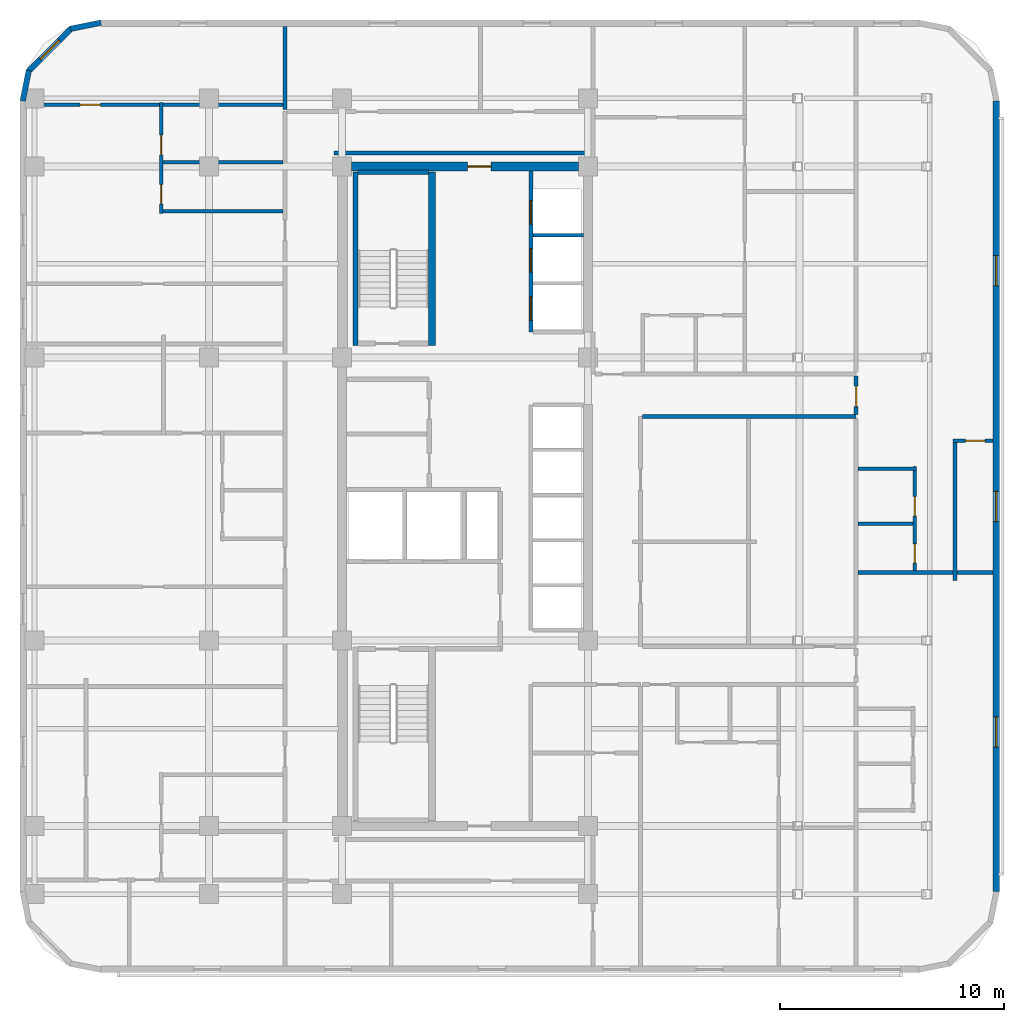
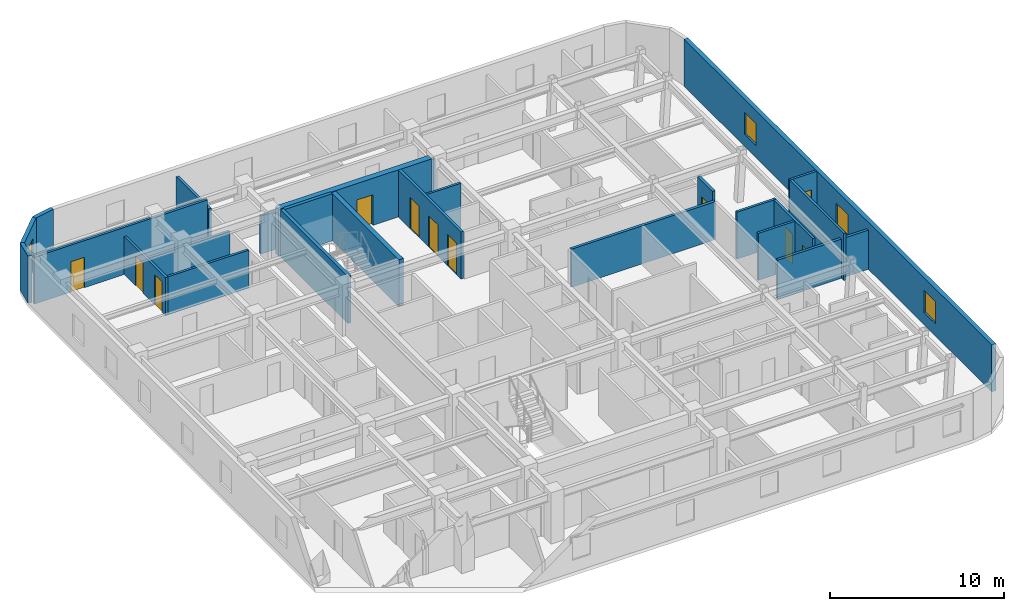
# One storey, part 6 of 11: 24 walls, 11 doors, 4 windows, 15 openings.
"""IFC4 building model written with IfcOpenShell, lengths in metres."""

from ifc_helpers import new_model, si_unit, direction, frame, frame_2d, origin, place, context, subcontext, project, spatial, rectangle, extrude, material, layer, layer_set, type_object, element, fill, save


model = new_model("IFC4")

# Units and contexts
model_context = context("Model", 3, precision=1e-05, world=origin(), true_north=direction((0.0, 1.0)))
body_context = subcontext(model_context, "Body", "Model", "MODEL_VIEW")
ifc_project = project(units=[si_unit("LENGTHUNIT", "METRE"), si_unit("AREAUNIT", "SQUARE_METRE"), si_unit("VOLUMEUNIT", "CUBIC_METRE"), si_unit("PLANEANGLEUNIT", "RADIAN"), si_unit("MASSUNIT", "GRAM", prefix="KILO")], contexts=[model_context])

# Site, building, storey
site_placement = place(None, origin())
site = spatial("IfcSite", under=ifc_project, at=site_placement, CompositionType="ELEMENT")
building_placement = place(site_placement, origin())
building = spatial("IfcBuilding", under=site, at=building_placement, Name="Ochreholt Gables", CompositionType="ELEMENT")
storey_placement = place(building_placement, frame((0.0, 0.0, 132.0)))
storey = spatial("IfcBuildingStorey", under=building, at=storey_placement, Name="L34", CompositionType="ELEMENT", Elevation=132.0)

# Wall, opening, door
ifc_material_1 = material(Name="Concrete 60 MPa", Category="concrete")
ifc_layer_1 = layer(ifc_material_1, 0.39990234375, Name="Concrete 60 MPa")
ifc_layer_set_1 = layer_set([ifc_layer_1], Name="Concrete 60 MPa")
wall_type_1 = type_object("IfcWallType", Name="WALL-CSW-400", PredefinedType="SHEAR", material=ifc_layer_set_1)
wall_1_placement = place(storey_placement, frame((24.625, 38.75, 0.0), z_axis=(0.0, 0.0, 1.0), x_axis=(1.0, 0.0, 0.0)))
wall_1 = element("IfcWall", 1, at=wall_1_placement, inside=storey, type_object=wall_type_1, Name="L34 Core North Shear Wall", PredefinedType="SHEAR", context=body_context, shape_type="SweptSolid", body=[
    extrude(rectangle(XDim=10.14990234375, YDim=0.39990234375, at=frame_2d((5.074951171875, 0.0))), origin(), (0.0, 0.0, 1.0), 3.300048828125),
])
opening_1_placement = place(wall_1_placement, frame((5.199951171875, 0.0, 0.0)))
opening_1 = element("IfcOpeningElement", 2, at=opening_1_placement, cuts=wall_1, Name="Opening D-FLB", PredefinedType="OPENING", context=body_context, shape_type="SweptSolid", body=[
    extrude(rectangle(XDim=1.050048828125, YDim=2.14990234375, at=frame_2d((0.52490234375, 1.074951171875))), frame((0.0, 0.2099609375, 0.0), z_axis=(0.0, -1.0, 0.0), x_axis=(1.0, 0.0, 0.0)), (0.0, 0.0, 1.0), 0.419921875),
])
ifc_material_2 = material(Name="Hollow Metal Steel", Category="steel")
door_type_1 = type_object("IfcDoorType", Name="DR-INT-FLB1050", OperationType="NOTDEFINED", PredefinedType="DOOR", material=ifc_material_2)
door_1_placement = place(opening_1_placement, frame((1.050048828125, 0.0, 0.0), z_axis=(0.0, 0.0, 1.0), x_axis=(-1.0, 0.0, 0.0)))
door_1 = element("IfcDoor", 3, at=door_1_placement, inside=storey, type_object=door_type_1, Name="L34 Door D-C2CRN-L34", OperationType="SINGLE_SWING_RIGHT", OverallHeight=2.14990234375, OverallWidth=1.050048828125, PredefinedType="DOOR", context=body_context, shape_type="SweptSolid", body=[
    extrude(rectangle(XDim=1.050048828125, YDim=2.14990234375, at=frame_2d((0.52490234375, 1.074951171875))), frame((0.0, 0.02490234375, 0.0), z_axis=(0.0, -1.0, 0.0), x_axis=(1.0, 0.0, 0.0)), (0.0, 0.0, 1.0), 0.050048828125),
])
fill(opening_1, door_1)

# Wall, openings, windows
ifc_material_3 = material(Name="Precast concrete 40 MPa", Category="concrete")
ifc_layer_2 = layer(ifc_material_3, 0.280029296875, Name="Precast concrete 40 MPa")
ifc_layer_set_2 = layer_set([ifc_layer_2], Name="Precast concrete 40 MPa")
wall_type_2 = type_object("IfcWallType", Name="WALL-EXT-280", PredefinedType="SOLIDWALL", material=ifc_layer_set_2)
wall_2_placement = place(storey_placement, frame((53.4599609375, 6.320068359375, 0.0), z_axis=(0.0, 0.0, 1.0), x_axis=(0.0, 1.0, 0.0)))
wall_2 = element("IfcWall", 4, at=wall_2_placement, inside=storey, type_object=wall_type_2, Name="L34 East Exterior Wall", PredefinedType="SOLIDWALL", context=body_context, shape_type="SweptSolid", body=[
    extrude(rectangle(XDim=35.35986328125, YDim=0.280029296875, at=frame_2d((17.679931640625, 0.0))), origin(), (0.0, 0.0, 1.0), 3.300048828125),
])
opening_2_placement = place(wall_2_placement, frame((6.4609375, 0.0, 0.85009765625)))
opening_2 = element("IfcOpeningElement", 5, at=opening_2_placement, cuts=wall_2, Name="Opening WN-8", PredefinedType="OPENING", context=body_context, shape_type="SweptSolid", body=[
    extrude(rectangle(XDim=1.35009765625, YDim=1.550048828125, at=frame_2d((0.675048828125, 0.77490234375))), frame((0.0, 0.14990234375, 0.0), z_axis=(0.0, -1.0, 0.0), x_axis=(1.0, 0.0, 0.0)), (0.0, 0.0, 1.0), 0.300048828125),
])
opening_3_placement = place(wall_2_placement, frame((16.5419921875, 0.0, 0.85009765625)))
opening_3 = element("IfcOpeningElement", 6, at=opening_3_placement, cuts=wall_2, Name="Opening WN-8", PredefinedType="OPENING", context=body_context, shape_type="SweptSolid", body=[
    extrude(rectangle(XDim=1.35009765625, YDim=1.550048828125, at=frame_2d((0.675048828125, 0.77490234375))), frame((0.0, 0.14990234375, 0.0), z_axis=(0.0, -1.0, 0.0), x_axis=(1.0, 0.0, 0.0)), (0.0, 0.0, 1.0), 0.300048828125),
])
opening_4_placement = place(wall_2_placement, frame((27.0859375, 0.0, 0.85009765625)))
opening_4 = element("IfcOpeningElement", 7, at=opening_4_placement, cuts=wall_2, Name="Opening WN-8", PredefinedType="OPENING", context=body_context, shape_type="SweptSolid", body=[
    extrude(rectangle(XDim=1.35009765625, YDim=1.550048828125, at=frame_2d((0.675048828125, 0.77490234375))), frame((0.0, 0.14990234375, 0.0), z_axis=(0.0, -1.0, 0.0), x_axis=(1.0, 0.0, 0.0)), (0.0, 0.0, 1.0), 0.300048828125),
])
ifc_material_4 = material(Name="Triple-Glazed Thermally Broken Aluminium Window", Category="aluminium")
window_type_1 = type_object("IfcWindowType", Name="WIN-RES-1350", PartitioningType="SINGLE_PANEL", PredefinedType="WINDOW", material=ifc_material_4)
window_1_placement = place(opening_2_placement, origin())
window_1 = element("IfcWindow", 8, at=window_1_placement, inside=storey, type_object=window_type_1, Name="L34 Window W-EXT-E-L34-1", OverallHeight=1.550048828125, OverallWidth=1.35009765625, PartitioningType="SINGLE_PANEL", PredefinedType="WINDOW", context=body_context, shape_type="SweptSolid", body=[
    extrude(rectangle(XDim=1.35009765625, YDim=1.550048828125, at=frame_2d((0.675048828125, 0.77490234375))), frame((0.0, 0.030029296875, 0.0), z_axis=(0.0, -1.0, 0.0), x_axis=(1.0, 0.0, 0.0)), (0.0, 0.0, 1.0), 0.06005859375),
])
fill(opening_2, window_1)
window_2_placement = place(opening_3_placement, origin())
window_2 = element("IfcWindow", 9, at=window_2_placement, inside=storey, type_object=window_type_1, Name="L34 Window W-EXT-E-L34-2", OverallHeight=1.550048828125, OverallWidth=1.35009765625, PartitioningType="SINGLE_PANEL", PredefinedType="WINDOW", context=body_context, shape_type="SweptSolid", body=[
    extrude(rectangle(XDim=1.35009765625, YDim=1.550048828125, at=frame_2d((0.675048828125, 0.77490234375))), frame((0.0, 0.030029296875, 0.0), z_axis=(0.0, -1.0, 0.0), x_axis=(1.0, 0.0, 0.0)), (0.0, 0.0, 1.0), 0.06005859375),
])
fill(opening_3, window_2)
window_3_placement = place(opening_4_placement, origin())
window_3 = element("IfcWindow", 10, at=window_3_placement, inside=storey, type_object=window_type_1, Name="L34 Window W-EXT-E-L34-3", OverallHeight=1.550048828125, OverallWidth=1.35009765625, PartitioningType="SINGLE_PANEL", PredefinedType="WINDOW", context=body_context, shape_type="SweptSolid", body=[
    extrude(rectangle(XDim=1.35009765625, YDim=1.550048828125, at=frame_2d((0.675048828125, 0.77490234375))), frame((0.0, 0.030029296875, 0.0), z_axis=(0.0, -1.0, 0.0), x_axis=(1.0, 0.0, 0.0)), (0.0, 0.0, 1.0), 0.06005859375),
])
fill(opening_4, window_3)

# Wall
ifc_layer_3 = layer(ifc_material_3, 0.25, Name="Precast concrete 40 MPa")
ifc_layer_set_3 = layer_set([ifc_layer_3], Name="Precast concrete 40 MPa")
wall_type_3 = type_object("IfcWallType", Name="WALL-EXT-CNR", PredefinedType="SOLIDWALL", material=ifc_layer_set_3)
wall_3_placement = place(storey_placement, frame((13.41650390625, 45.17578125, 0.0), z_axis=(0.0, 0.0, 1.0), x_axis=(-0.980809899341, -0.19496651342, 0.0)))
element("IfcWall", 11, at=wall_3_placement, inside=storey, type_object=wall_type_3, Name="L34 Rounded Corner Wall NW-1", PredefinedType="SOLIDWALL", context=body_context, shape_type="SweptSolid", body=[
    extrude(rectangle(XDim=1.388671875, YDim=0.25, at=frame_2d((0.6943359375, 0.0))), origin(), (0.0, 0.0, 1.0), 3.300048828125),
])

# Wall, opening, window
wall_4_placement = place(storey_placement, frame((12.10498046875, 44.931884765625, 0.0), z_axis=(0.0, 0.0, 1.0), x_axis=(-0.707151344399, -0.707062215165, 0.0)))
wall_4 = element("IfcWall", 12, at=wall_4_placement, inside=storey, type_object=wall_type_3, Name="L34 Rounded Corner Wall NW-2", PredefinedType="SOLIDWALL", context=body_context, shape_type="SweptSolid", body=[
    extrude(rectangle(XDim=2.7392578125, YDim=0.25, at=frame_2d((1.36962890625, 0.0))), origin(), (0.0, 0.0, 1.0), 3.300048828125),
])
opening_5_placement = place(wall_4_placement, frame((0.769775390625, 0.0, 0.85009765625)))
opening_5 = element("IfcOpeningElement", 13, at=opening_5_placement, cuts=wall_4, Name="Opening WN-3", PredefinedType="OPENING", context=body_context, shape_type="SweptSolid", body=[
    extrude(rectangle(XDim=1.199951171875, YDim=1.5, at=frame_2d((0.60009765625, 0.75))), frame((0.0, 0.135009765625, 0.0), z_axis=(0.0, -1.0, 0.0), x_axis=(1.0, 0.0, 0.0)), (0.0, 0.0, 1.0), 0.27001953125),
])
window_type_2 = type_object("IfcWindowType", Name="WIN-RES-1200", PartitioningType="SINGLE_PANEL", PredefinedType="WINDOW", material=ifc_material_4)
window_4_placement = place(opening_5_placement, origin())
window_4 = element("IfcWindow", 14, at=window_4_placement, inside=storey, type_object=window_type_2, Name="L34 Corner Bedroom Window NW", OverallHeight=1.5, OverallWidth=1.199951171875, PartitioningType="SINGLE_PANEL", PredefinedType="WINDOW", context=body_context, shape_type="SweptSolid", body=[
    extrude(rectangle(XDim=1.199951171875, YDim=1.5, at=frame_2d((0.60009765625, 0.75))), frame((0.0, 0.030029296875, 0.0), z_axis=(0.0, -1.0, 0.0), x_axis=(1.0, 0.0, 0.0)), (0.0, 0.0, 1.0), 0.06005859375),
])
fill(opening_5, window_4)

# Walls
wall_5_placement = place(storey_placement, frame((10.195068359375, 43.04541015625, 0.0), z_axis=(0.0, 0.0, 1.0), x_axis=(-0.195000137217, -0.980803214965, 0.0)))
element("IfcWall", 15, at=wall_5_placement, inside=storey, type_object=wall_type_3, Name="L34 Rounded Corner Wall NW-3", PredefinedType="SOLIDWALL", context=body_context, shape_type="SweptSolid", body=[
    extrude(rectangle(XDim=1.388427734375, YDim=0.25, at=frame_2d((0.6943359375, 0.0))), origin(), (0.0, 0.0, 1.0), 3.300048828125),
])
ifc_material_5 = material(Name="Fire-Rated Gypsum Acoustic Partition", Category="gypsum")
ifc_layer_4 = layer(ifc_material_5, 0.179931640625, Name="Fire-Rated Gypsum Acoustic Partition")
ifc_layer_set_4 = layer_set([ifc_layer_4], Name="Fire-Rated Gypsum Acoustic Partition")
wall_type_4 = type_object("IfcWallType", Name="WALL-INT-CR180", PredefinedType="STANDARD", material=ifc_layer_set_4)
wall_6_placement = place(storey_placement, frame((37.639892578125, 27.56005859375, 0.0), z_axis=(0.0, 0.0, 1.0), x_axis=(1.0, 0.0, 0.0)))
element("IfcWall", 16, at=wall_6_placement, inside=storey, type_object=wall_type_4, Name="L34 Interior Wall WI-C2SN1-L34", PredefinedType="STANDARD", context=body_context, shape_type="SweptSolid", body=[
    extrude(rectangle(XDim=9.56005859375, YDim=0.179931640625, at=frame_2d((4.780029296875, 0.0))), origin(), (0.0, 0.0, 1.0), 2.6708984375),
])
wall_7_placement = place(storey_placement, frame((23.85009765625, 39.35009765625, 0.0), z_axis=(0.0, 0.0, 1.0), x_axis=(1.0, 0.0, 0.0)))
element("IfcWall", 17, at=wall_7_placement, inside=storey, type_object=wall_type_4, Name="L34 Interior Wall WI-C2WCN2-L34", PredefinedType="STANDARD", context=body_context, shape_type="SweptSolid", body=[
    extrude(rectangle(XDim=11.56982421875, YDim=0.179931640625, at=frame_2d((5.784912109375, 0.0))), origin(), (0.0, 0.0, 1.0), 2.6708984375),
])

# Wall, opening, door
wall_8_placement = place(storey_placement, frame((47.199951171875, 27.64990234375, 0.0), z_axis=(0.0, 0.0, 1.0), x_axis=(0.0, 1.0, 0.0)))
wall_8 = element("IfcWall", 18, at=wall_8_placement, inside=storey, type_object=wall_type_4, Name="L34 Interior Wall WI-C2SNE-L34", PredefinedType="STANDARD", context=body_context, shape_type="SweptSolid", body=[
    extrude(rectangle(XDim=1.72021484375, YDim=0.179931640625, at=frame_2d((0.860107421875, 0.0))), origin(), (0.0, 0.0, 1.0), 3.300048828125),
])
opening_6_placement = place(wall_8_placement, frame((0.360107421875, 0.0, 0.0)))
opening_6 = element("IfcOpeningElement", 19, at=opening_6_placement, cuts=wall_8, Name="Opening D-UN1", PredefinedType="OPENING", context=body_context, shape_type="SweptSolid", body=[
    extrude(rectangle(XDim=0.919921875, YDim=2.14990234375, at=frame_2d((0.4599609375, 1.074951171875))), frame((0.0, 0.099853515625, 0.0), z_axis=(0.0, -1.0, 0.0), x_axis=(1.0, 0.0, 0.0)), (0.0, 0.0, 1.0), 0.199951171875),
])
ifc_material_6 = material(Name="Engineered Oak Timber", Category="wood")
door_type_2 = type_object("IfcDoorType", Name="DR-INT-UNT920", OperationType="NOTDEFINED", PredefinedType="DOOR", material=ifc_material_6)
door_2_placement = place(opening_6_placement, origin())
door_2 = element("IfcDoor", 20, at=door_2_placement, inside=storey, type_object=door_type_2, Name="L34 Door D-U-L34FEN-ENT", OperationType="SINGLE_SWING_LEFT", OverallHeight=2.14990234375, OverallWidth=0.919921875, PredefinedType="DOOR", context=body_context, shape_type="SweptSolid", body=[
    extrude(rectangle(XDim=0.919921875, YDim=2.14990234375, at=frame_2d((0.4599609375, 1.074951171875))), frame((0.0, 0.02490234375, 0.0), z_axis=(0.0, -1.0, 0.0), x_axis=(1.0, 0.0, 0.0)), (0.0, 0.0, 1.0), 0.050048828125),
])
fill(opening_6, door_2)

# Walls
ifc_material_7 = material(Name="Double-Stud Acoustic Demising Wall", Category="gypsum")
ifc_layer_5 = layer(ifc_material_7, 0.179931640625, Name="Double-Stud Acoustic Demising Wall")
ifc_layer_set_5 = layer_set([ifc_layer_5], Name="Double-Stud Acoustic Demising Wall")
wall_type_5 = type_object("IfcWallType", Name="WALL-INT-DM180", PredefinedType="PARTITIONING", material=ifc_layer_set_5)
wall_9_placement = place(storey_placement, frame((21.64990234375, 41.2900390625, 0.0), z_axis=(0.0, 0.0, 1.0), x_axis=(0.0, 1.0, 0.0)))
element("IfcWall", 21, at=wall_9_placement, inside=storey, type_object=wall_type_5, Name="L34 Interior Wall WI-C2WWN-L34", PredefinedType="PARTITIONING", context=body_context, shape_type="SweptSolid", body=[
    extrude(rectangle(XDim=3.72998046875, YDim=0.179931640625, at=frame_2d((1.864990234375, 0.0))), origin(), (0.0, 0.0, 1.0), 2.7490234375),
])
wall_10_placement = place(storey_placement, frame((47.2900390625, 20.592041015625, 0.0), z_axis=(0.0, 0.0, 1.0), x_axis=(1.0, 0.0, 0.0)))
element("IfcWall", 22, at=wall_10_placement, inside=storey, type_object=wall_type_5, Name="L34 Interior Wall WI-C2FED-L34", PredefinedType="PARTITIONING", context=body_context, shape_type="SweptSolid", body=[
    extrude(rectangle(XDim=6.030029296875, YDim=0.179931640625, at=frame_2d((3.01513671875, 0.0))), origin(), (0.0, 0.0, 1.0), 2.7490234375),
])
ifc_material_8 = material(Name="Moisture-Resistant Plumbing Chase Wall", Category="gypsum")
ifc_layer_6 = layer(ifc_material_8, 0.159912109375, Name="Moisture-Resistant Plumbing Chase Wall")
ifc_layer_set_6 = layer_set([ifc_layer_6], Name="Moisture-Resistant Plumbing Chase Wall")
wall_type_6 = type_object("IfcWallType", Name="WALL-INT-PL160", PredefinedType="PLUMBINGWALL", material=ifc_layer_set_6)
wall_11_placement = place(storey_placement, frame((47.2900390625, 25.23193359375, 0.0), z_axis=(0.0, 0.0, 1.0), x_axis=(1.0, 0.0, 0.0)))
element("IfcWall", 23, at=wall_11_placement, inside=storey, type_object=wall_type_6, Name="L34 Interior Wall WU-L34FEN-WYN", PredefinedType="PLUMBINGWALL", context=body_context, shape_type="SweptSolid", body=[
    extrude(rectangle(XDim=2.60595703125, YDim=0.159912109375, at=frame_2d((1.302978515625, 0.0))), origin(), (0.0, 0.0, 1.0), 3.300048828125),
])

# Wall, openings, doors
wall_12_placement = place(storey_placement, frame((49.81591796875, 20.681884765625, 0.0), z_axis=(0.0, 0.0, 1.0), x_axis=(0.0, 1.0, 0.0)))
wall_12 = element("IfcWall", 24, at=wall_12_placement, inside=storey, type_object=wall_type_6, Name="L34 Interior Wall WU-L34FEN-WX", PredefinedType="PLUMBINGWALL", context=body_context, shape_type="SweptSolid", body=[
    extrude(rectangle(XDim=4.64013671875, YDim=0.159912109375, at=frame_2d((2.320068359375, 0.0))), origin(), (0.0, 0.0, 1.0), 3.300048828125),
])
opening_7_placement = place(wall_12_placement, frame((0.330078125, 0.0, 0.0)))
opening_7 = element("IfcOpeningElement", 25, at=opening_7_placement, cuts=wall_12, Name="Opening D-BT1", PredefinedType="OPENING", context=body_context, shape_type="SweptSolid", body=[
    extrude(rectangle(XDim=0.860107421875, YDim=2.1201171875, at=frame_2d((0.43017578125, 1.06005859375))), frame((0.0, 0.08984375, 0.0), z_axis=(0.0, -1.0, 0.0), x_axis=(1.0, 0.0, 0.0)), (0.0, 0.0, 1.0), 0.179931640625),
])
opening_8_placement = place(wall_12_placement, frame((2.423095703125, 0.0, 0.0)))
opening_8 = element("IfcOpeningElement", 26, at=opening_8_placement, cuts=wall_12, Name="Opening D-GN2", PredefinedType="OPENING", context=body_context, shape_type="SweptSolid", body=[
    extrude(rectangle(XDim=0.8798828125, YDim=2.1201171875, at=frame_2d((0.43994140625, 1.06005859375))), frame((0.0, 0.08984375, 0.0), z_axis=(0.0, -1.0, 0.0), x_axis=(1.0, 0.0, 0.0)), (0.0, 0.0, 1.0), 0.179931640625),
])
door_type_3 = type_object("IfcDoorType", Name="DR-INT-BTH860", OperationType="NOTDEFINED", PredefinedType="DOOR", material=ifc_material_6)
door_3_placement = place(opening_7_placement, origin())
door_3 = element("IfcDoor", 27, at=door_3_placement, inside=storey, type_object=door_type_3, Name="L34 Door D-U-L34FEN-BTH", OperationType="SINGLE_SWING_RIGHT", OverallHeight=2.1201171875, OverallWidth=0.860107421875, PredefinedType="DOOR", context=body_context, shape_type="SweptSolid", body=[
    extrude(rectangle(XDim=0.860107421875, YDim=2.1201171875, at=frame_2d((0.43017578125, 1.06005859375))), frame((0.0, 0.02490234375, 0.0), z_axis=(0.0, -1.0, 0.0), x_axis=(1.0, 0.0, 0.0)), (0.0, 0.0, 1.0), 0.050048828125),
])
fill(opening_7, door_3)
door_type_4 = type_object("IfcDoorType", Name="DR-INT-GEN880", OperationType="NOTDEFINED", PredefinedType="DOOR", material=ifc_material_6)
door_4_placement = place(opening_8_placement, origin())
door_4 = element("IfcDoor", 28, at=door_4_placement, inside=storey, type_object=door_type_4, Name="L34 Door D-U-L34FEN-KIT", OperationType="SINGLE_SWING_LEFT", OverallHeight=2.1201171875, OverallWidth=0.8798828125, PredefinedType="DOOR", context=body_context, shape_type="SweptSolid", body=[
    extrude(rectangle(XDim=0.8798828125, YDim=2.1201171875, at=frame_2d((0.43994140625, 1.06005859375))), frame((0.0, 0.02490234375, 0.0), z_axis=(0.0, -1.0, 0.0), x_axis=(1.0, 0.0, 0.0)), (0.0, 0.0, 1.0), 0.050048828125),
])
fill(opening_8, door_4)

# Walls
wall_13_placement = place(storey_placement, frame((47.2900390625, 22.77490234375, 0.0), z_axis=(0.0, 0.0, 1.0), x_axis=(1.0, 0.0, 0.0)))
element("IfcWall", 29, at=wall_13_placement, inside=storey, type_object=wall_type_6, Name="L34 Interior Wall WU-L34FEN-WM", PredefinedType="PLUMBINGWALL", context=body_context, shape_type="SweptSolid", body=[
    extrude(rectangle(XDim=2.446044921875, YDim=0.159912109375, at=frame_2d((1.22314453125, 0.0))), origin(), (0.0, 0.0, 1.0), 3.300048828125),
])
wall_14_placement = place(storey_placement, frame((16.030029296875, 36.74609375, 0.0), z_axis=(0.0, 0.0, 1.0), x_axis=(1.0, 0.0, 0.0)))
element("IfcWall", 30, at=wall_14_placement, inside=storey, type_object=wall_type_6, Name="L34 Interior Wall WU-L34W3-FYS", PredefinedType="PLUMBINGWALL", context=body_context, shape_type="SweptSolid", body=[
    extrude(rectangle(XDim=5.530029296875, YDim=0.159912109375, at=frame_2d((2.76513671875, 0.0))), origin(), (0.0, 0.0, 1.0), 2.6708984375),
])

# Wall, openings, doors
wall_15_placement = place(storey_placement, frame((16.110107421875, 36.656005859375, 0.0), z_axis=(0.0, 0.0, 1.0), x_axis=(0.0, 1.0, 0.0)))
wall_15 = element("IfcWall", 31, at=wall_15_placement, inside=storey, type_object=wall_type_6, Name="L34 Interior Wall WU-L34W3-WX", PredefinedType="PLUMBINGWALL", context=body_context, shape_type="SweptSolid", body=[
    extrude(rectangle(XDim=4.944091796875, YDim=0.159912109375, at=frame_2d((2.47216796875, 0.0))), origin(), (0.0, 0.0, 1.0), 2.6708984375),
])
opening_9_placement = place(wall_15_placement, frame((0.419921875, 0.0, 0.0)))
opening_9 = element("IfcOpeningElement", 32, at=opening_9_placement, cuts=wall_15, Name="Opening D-BT1", PredefinedType="OPENING", context=body_context, shape_type="SweptSolid", body=[
    extrude(rectangle(XDim=0.860107421875, YDim=2.1201171875, at=frame_2d((0.43017578125, 1.06005859375))), frame((0.0, 0.08984375, 0.0), z_axis=(0.0, -1.0, 0.0), x_axis=(1.0, 0.0, 0.0)), (0.0, 0.0, 1.0), 0.179931640625),
])
opening_10_placement = place(wall_15_placement, frame((2.611328125, 0.0, 0.0)))
opening_10 = element("IfcOpeningElement", 33, at=opening_10_placement, cuts=wall_15, Name="Opening D-GN2", PredefinedType="OPENING", context=body_context, shape_type="SweptSolid", body=[
    extrude(rectangle(XDim=0.8798828125, YDim=2.1201171875, at=frame_2d((0.43994140625, 1.06005859375))), frame((0.0, 0.08984375, 0.0), z_axis=(0.0, -1.0, 0.0), x_axis=(1.0, 0.0, 0.0)), (0.0, 0.0, 1.0), 0.179931640625),
])
door_5_placement = place(opening_9_placement, origin())
door_5 = element("IfcDoor", 34, at=door_5_placement, inside=storey, type_object=door_type_3, Name="L34 Door D-U-L34W3-BTH", OperationType="SINGLE_SWING_LEFT", OverallHeight=2.1201171875, OverallWidth=0.860107421875, PredefinedType="DOOR", context=body_context, shape_type="SweptSolid", body=[
    extrude(rectangle(XDim=0.860107421875, YDim=2.1201171875, at=frame_2d((0.43017578125, 1.06005859375))), frame((0.0, 0.02490234375, 0.0), z_axis=(0.0, -1.0, 0.0), x_axis=(1.0, 0.0, 0.0)), (0.0, 0.0, 1.0), 0.050048828125),
])
fill(opening_9, door_5)
door_6_placement = place(opening_10_placement, origin())
door_6 = element("IfcDoor", 35, at=door_6_placement, inside=storey, type_object=door_type_4, Name="L34 Door D-U-L34W3-KIT", OperationType="SINGLE_SWING_RIGHT", OverallHeight=2.1201171875, OverallWidth=0.8798828125, PredefinedType="DOOR", context=body_context, shape_type="SweptSolid", body=[
    extrude(rectangle(XDim=0.8798828125, YDim=2.1201171875, at=frame_2d((0.43994140625, 1.06005859375))), frame((0.0, 0.02490234375, 0.0), z_axis=(0.0, -1.0, 0.0), x_axis=(1.0, 0.0, 0.0)), (0.0, 0.0, 1.0), 0.050048828125),
])
fill(opening_10, door_6)

# Walls
wall_16_placement = place(storey_placement, frame((16.18994140625, 38.9375, 0.0), z_axis=(0.0, 0.0, 1.0), x_axis=(1.0, 0.0, 0.0)))
element("IfcWall", 36, at=wall_16_placement, inside=storey, type_object=wall_type_6, Name="L34 Interior Wall WU-L34W3-WK", PredefinedType="PLUMBINGWALL", context=body_context, shape_type="SweptSolid", body=[
    extrude(rectangle(XDim=5.3701171875, YDim=0.159912109375, at=frame_2d((2.68505859375, 0.0))), origin(), (0.0, 0.0, 1.0), 2.6708984375),
])
ifc_material_9 = material(Name="Gypsum Acoustic Stud Partition", Category="gypsum")
ifc_layer_7 = layer(ifc_material_9, 0.1650390625, Name="Gypsum Acoustic Stud Partition")
ifc_layer_set_7 = layer_set([ifc_layer_7], Name="Gypsum Acoustic Stud Partition")
wall_type_7 = type_object("IfcWallType", Name="WALL-INT-PT165", PredefinedType="PARTITIONING", material=ifc_layer_set_7)
wall_17_placement = place(storey_placement, frame((51.615966796875, 20.23193359375, 0.0), z_axis=(0.0, 0.0, 1.0), x_axis=(0.0, 1.0, 0.0)))
element("IfcWall", 37, at=wall_17_placement, inside=storey, type_object=wall_type_7, Name="L34 Interior Wall WU-L34FEN-STW", PredefinedType="PARTITIONING", context=body_context, shape_type="SweptSolid", body=[
    extrude(rectangle(XDim=6.25, YDim=0.1650390625, at=frame_2d((3.125, 0.0))), origin(), (0.0, 0.0, 1.0), 3.300048828125),
])

# Wall, opening, door
wall_18_placement = place(storey_placement, frame((51.535888671875, 26.48193359375, 0.0), z_axis=(0.0, 0.0, 1.0), x_axis=(1.0, 0.0, 0.0)))
wall_18 = element("IfcWall", 38, at=wall_18_placement, inside=storey, type_object=wall_type_7, Name="L34 Interior Wall WU-L34FEN-STN", PredefinedType="PARTITIONING", context=body_context, shape_type="SweptSolid", body=[
    extrude(rectangle(XDim=1.7841796875, YDim=0.1650390625, at=frame_2d((0.89208984375, 0.0))), origin(), (0.0, 0.0, 1.0), 3.300048828125),
])
opening_11_placement = place(wall_18_placement, frame((0.550048828125, 0.0, 0.0)))
opening_11 = element("IfcOpeningElement", 39, at=opening_11_placement, cuts=wall_18, Name="Opening D-GN2", PredefinedType="OPENING", context=body_context, shape_type="SweptSolid", body=[
    extrude(rectangle(XDim=0.8798828125, YDim=2.1201171875, at=frame_2d((0.43994140625, 1.06005859375))), frame((0.0, 0.092529296875, 0.0), z_axis=(0.0, -1.0, 0.0), x_axis=(1.0, 0.0, 0.0)), (0.0, 0.0, 1.0), 0.18505859375),
])
door_7_placement = place(opening_11_placement, origin())
door_7 = element("IfcDoor", 40, at=door_7_placement, inside=storey, type_object=door_type_4, Name="L34 Door D-U-L34FEN-STD", OperationType="SINGLE_SWING_RIGHT", OverallHeight=2.1201171875, OverallWidth=0.8798828125, PredefinedType="DOOR", context=body_context, shape_type="SweptSolid", body=[
    extrude(rectangle(XDim=0.8798828125, YDim=2.1201171875, at=frame_2d((0.43994140625, 1.06005859375))), frame((0.0, 0.02490234375, 0.0), z_axis=(0.0, -1.0, 0.0), x_axis=(1.0, 0.0, 0.0)), (0.0, 0.0, 1.0), 0.050048828125),
])
fill(opening_11, door_7)

wall_19_placement = place(storey_placement, frame((10.080078125, 41.510009765625, 0.0), z_axis=(0.0, 0.0, 1.0), x_axis=(1.0, 0.0, 0.0)))
wall_19 = element("IfcWall", 41, at=wall_19_placement, inside=storey, type_object=wall_type_7, Name="L34 Interior Wall WU-L34W3-MN", PredefinedType="PARTITIONING", context=body_context, shape_type="SweptSolid", body=[
    extrude(rectangle(XDim=11.47998046875, YDim=0.1650390625, at=frame_2d((5.739990234375, 0.0))), origin(), (0.0, 0.0, 1.0), 3.300048828125),
])
opening_12_placement = place(wall_19_placement, frame((2.409912109375, 0.0, 0.0)))
opening_12 = element("IfcOpeningElement", 42, at=opening_12_placement, cuts=wall_19, Name="Opening D-BD1", PredefinedType="OPENING", context=body_context, shape_type="SweptSolid", body=[
    extrude(rectangle(XDim=0.89990234375, YDim=2.139892578125, at=frame_2d((0.449951171875, 1.06982421875))), frame((0.0, 0.092529296875, 0.0), z_axis=(0.0, -1.0, 0.0), x_axis=(1.0, 0.0, 0.0)), (0.0, 0.0, 1.0), 0.18505859375),
])
door_type_5 = type_object("IfcDoorType", Name="DR-INT-BED900", OperationType="NOTDEFINED", PredefinedType="DOOR", material=ifc_material_6)
door_8_placement = place(opening_12_placement, origin())
door_8 = element("IfcDoor", 43, at=door_8_placement, inside=storey, type_object=door_type_5, Name="L34 Door D-U-L34W3-BD1", OperationType="SINGLE_SWING_LEFT", OverallHeight=2.139892578125, OverallWidth=0.89990234375, PredefinedType="DOOR", context=body_context, shape_type="SweptSolid", body=[
    extrude(rectangle(XDim=0.89990234375, YDim=2.139892578125, at=frame_2d((0.449951171875, 1.06982421875))), frame((0.0, 0.02490234375, 0.0), z_axis=(0.0, -1.0, 0.0), x_axis=(1.0, 0.0, 0.0)), (0.0, 0.0, 1.0), 0.050048828125),
])
fill(opening_12, door_8)

# Wall
ifc_material_10 = material(Name="Gypsum Shaftliner and Steel Stud", Category="steel")
ifc_layer_8 = layer(ifc_material_10, 0.14990234375, Name="Gypsum Shaftliner and Steel Stud")
ifc_layer_set_8 = layer_set([ifc_layer_8], Name="Gypsum Shaftliner and Steel Stud")
wall_type_8 = type_object("IfcWallType", Name="WALL-INT-SH150", PredefinedType="STANDARD", material=ifc_layer_set_8)
wall_20_placement = place(storey_placement, frame((32.739990234375, 35.669921875, 0.0), z_axis=(0.0, 0.0, 1.0), x_axis=(1.0, 0.0, 0.0)))
element("IfcWall", 44, at=wall_20_placement, inside=storey, type_object=wall_type_8, Name="L34 Interior Wall WI-LFM-D2-L34", PredefinedType="STANDARD", context=body_context, shape_type="SweptSolid", body=[
    extrude(rectangle(XDim=2.260009765625, YDim=0.14990234375, at=frame_2d((1.1298828125, 0.0))), origin(), (0.0, 0.0, 1.0), 3.300048828125),
])

# Wall, openings, doors
ifc_layer_9 = layer(ifc_material_10, 0.179931640625, Name="Gypsum Shaftliner and Steel Stud")
ifc_layer_set_9 = layer_set([ifc_layer_9], Name="Gypsum Shaftliner and Steel Stud")
wall_type_9 = type_object("IfcWallType", Name="WALL-INT-SH180", PredefinedType="STANDARD", material=ifc_layer_set_9)
wall_21_placement = place(storey_placement, frame((32.64990234375, 31.35009765625, 0.0), z_axis=(0.0, 0.0, 1.0), x_axis=(0.0, 1.0, 0.0)))
wall_21 = element("IfcWall", 45, at=wall_21_placement, inside=storey, type_object=wall_type_9, Name="L34 Interior Wall WI-LFM-FR-L34", PredefinedType="STANDARD", context=body_context, shape_type="SweptSolid", body=[
    extrude(rectangle(XDim=7.199951171875, YDim=0.179931640625, at=frame_2d((3.60009765625, 0.0))), origin(), (0.0, 0.0, 1.0), 3.300048828125),
])
opening_13_placement = place(wall_21_placement, frame((0.52001953125, 0.0, 0.0)))
opening_13 = element("IfcOpeningElement", 46, at=opening_13_placement, cuts=wall_21, Name="Opening LD-PX", PredefinedType="OPENING", context=body_context, shape_type="SweptSolid", body=[
    extrude(rectangle(XDim=1.050048828125, YDim=2.199951171875, at=frame_2d((0.52490234375, 1.10009765625))), frame((0.0, 0.099853515625, 0.0), z_axis=(0.0, -1.0, 0.0), x_axis=(1.0, 0.0, 0.0)), (0.0, 0.0, 1.0), 0.199951171875),
])
opening_14_placement = place(wall_21_placement, frame((2.669921875, 0.0, 0.0)))
opening_14 = element("IfcOpeningElement", 47, at=opening_14_placement, cuts=wall_21, Name="Opening LD-PX", PredefinedType="OPENING", context=body_context, shape_type="SweptSolid", body=[
    extrude(rectangle(XDim=1.050048828125, YDim=2.199951171875, at=frame_2d((0.52490234375, 1.10009765625))), frame((0.0, 0.099853515625, 0.0), z_axis=(0.0, -1.0, 0.0), x_axis=(1.0, 0.0, 0.0)), (0.0, 0.0, 1.0), 0.199951171875),
])
opening_15_placement = place(wall_21_placement, frame((4.820068359375, 0.0, 0.0)))
opening_15 = element("IfcOpeningElement", 48, at=opening_15_placement, cuts=wall_21, Name="Opening LD-PX", PredefinedType="OPENING", context=body_context, shape_type="SweptSolid", body=[
    extrude(rectangle(XDim=1.050048828125, YDim=2.199951171875, at=frame_2d((0.52490234375, 1.10009765625))), frame((0.0, 0.099853515625, 0.0), z_axis=(0.0, -1.0, 0.0), x_axis=(1.0, 0.0, 0.0)), (0.0, 0.0, 1.0), 0.199951171875),
])
ifc_material_11 = material(Name="Stainless Steel", Category="steel")
door_type_6 = type_object("IfcDoorType", Name="DR-LFT-PX1050", OperationType="NOTDEFINED", PredefinedType="DOOR", material=ifc_material_11)
door_9_placement = place(opening_13_placement, origin())
door_9 = element("IfcDoor", 49, at=door_9_placement, inside=storey, type_object=door_type_6, Name="L34 Door LD-M1-L34", OperationType="SLIDING_TO_LEFT", OverallHeight=2.199951171875, OverallWidth=1.050048828125, PredefinedType="DOOR", context=body_context, shape_type="SweptSolid", body=[
    extrude(rectangle(XDim=1.050048828125, YDim=2.199951171875, at=frame_2d((0.52490234375, 1.10009765625))), frame((0.0, 0.02490234375, 0.0), z_axis=(0.0, -1.0, 0.0), x_axis=(1.0, 0.0, 0.0)), (0.0, 0.0, 1.0), 0.050048828125),
])
fill(opening_13, door_9)
door_10_placement = place(opening_14_placement, origin())
door_10 = element("IfcDoor", 50, at=door_10_placement, inside=storey, type_object=door_type_6, Name="L34 Door LD-M2-L34", OperationType="SLIDING_TO_LEFT", OverallHeight=2.199951171875, OverallWidth=1.050048828125, PredefinedType="DOOR", context=body_context, shape_type="SweptSolid", body=[
    extrude(rectangle(XDim=1.050048828125, YDim=2.199951171875, at=frame_2d((0.52490234375, 1.10009765625))), frame((0.0, 0.02490234375, 0.0), z_axis=(0.0, -1.0, 0.0), x_axis=(1.0, 0.0, 0.0)), (0.0, 0.0, 1.0), 0.050048828125),
])
fill(opening_14, door_10)
door_11_placement = place(opening_15_placement, origin())
door_11 = element("IfcDoor", 51, at=door_11_placement, inside=storey, type_object=door_type_6, Name="L34 Door LD-M3-L34", OperationType="SLIDING_TO_LEFT", OverallHeight=2.199951171875, OverallWidth=1.050048828125, PredefinedType="DOOR", context=body_context, shape_type="SweptSolid", body=[
    extrude(rectangle(XDim=1.050048828125, YDim=2.199951171875, at=frame_2d((0.52490234375, 1.10009765625))), frame((0.0, 0.02490234375, 0.0), z_axis=(0.0, -1.0, 0.0), x_axis=(1.0, 0.0, 0.0)), (0.0, 0.0, 1.0), 0.050048828125),
])
fill(opening_15, door_11)

# Walls
ifc_layer_10 = layer(ifc_material_1, 0.300048828125, Name="Concrete 60 MPa")
ifc_layer_set_10 = layer_set([ifc_layer_10], Name="Concrete 60 MPa")
wall_type_10 = type_object("IfcWallType", Name="WALL-SPN-300", PredefinedType="SHEAR", material=ifc_layer_set_10)
wall_22_placement = place(storey_placement, frame((28.22998046875, 30.739990234375, 0.0), z_axis=(0.0, 0.0, 1.0), x_axis=(0.0, 1.0, 0.0)))
element("IfcWall", 52, at=wall_22_placement, inside=storey, type_object=wall_type_10, Name="L34 Core North Spine Shear Wall", PredefinedType="SHEAR", context=body_context, shape_type="SweptSolid", body=[
    extrude(rectangle(XDim=7.760009765625, YDim=0.300048828125, at=frame_2d((3.8798828125, 0.0))), origin(), (0.0, 0.0, 1.0), 3.300048828125),
])
ifc_material_12 = material(Name="Concrete 50 MPa", Category="concrete")
ifc_layer_11 = layer(ifc_material_12, 0.219970703125, Name="Concrete 50 MPa")
ifc_layer_set_11 = layer_set([ifc_layer_11], Name="Concrete 50 MPa")
wall_type_11 = type_object("IfcWallType", Name="WALL-STW-220", PredefinedType="SHEAR", material=ifc_layer_set_11)
wall_23_placement = place(storey_placement, frame((24.81005859375, 30.739990234375, 0.0), z_axis=(0.0, 0.0, 1.0), x_axis=(0.0, 1.0, 0.0)))
element("IfcWall", 53, at=wall_23_placement, inside=storey, type_object=wall_type_11, Name="L34 Exit Stair 2 West Wall", PredefinedType="SHEAR", context=body_context, shape_type="SweptSolid", body=[
    extrude(rectangle(XDim=7.760009765625, YDim=0.219970703125, at=frame_2d((3.8798828125, 0.0))), origin(), (0.0, 0.0, 1.0), 3.300048828125),
])
wall_24_placement = place(storey_placement, frame((24.919921875, 38.489990234375, 0.0), z_axis=(0.0, 0.0, 1.0), x_axis=(1.0, 0.0, 0.0)))
element("IfcWall", 54, at=wall_24_placement, inside=storey, type_object=wall_type_11, Name="L34 Exit Stair 2 North Wall", PredefinedType="SHEAR", context=body_context, shape_type="SweptSolid", body=[
    extrude(rectangle(XDim=3.16015625, YDim=0.219970703125, at=frame_2d((1.580078125, 0.0))), origin(), (0.0, 0.0, 1.0), 3.300048828125),
])

save(model, "model.ifc")
